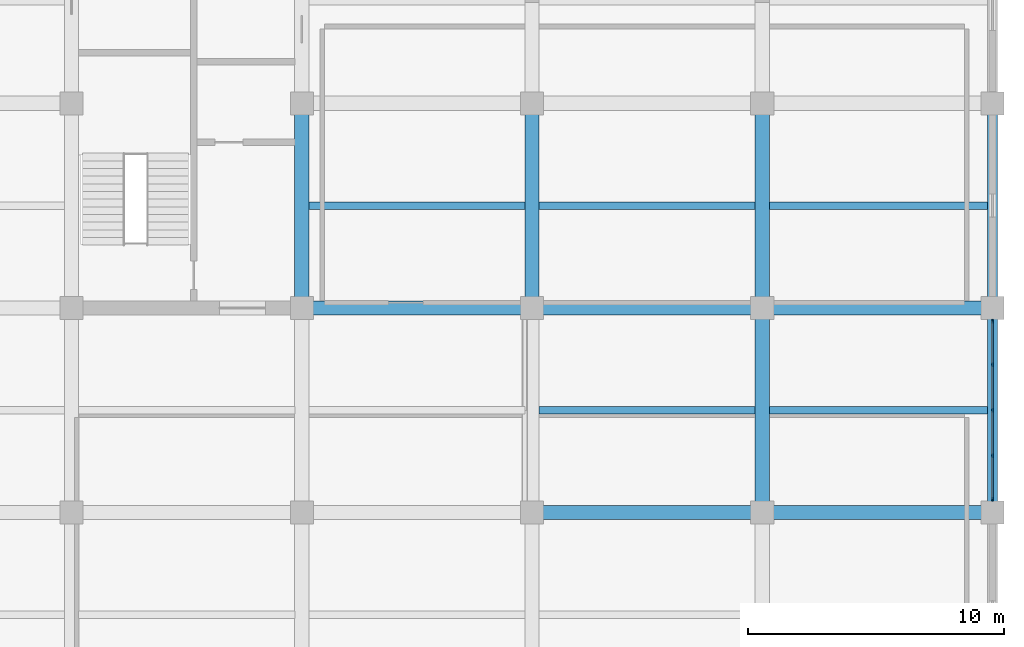
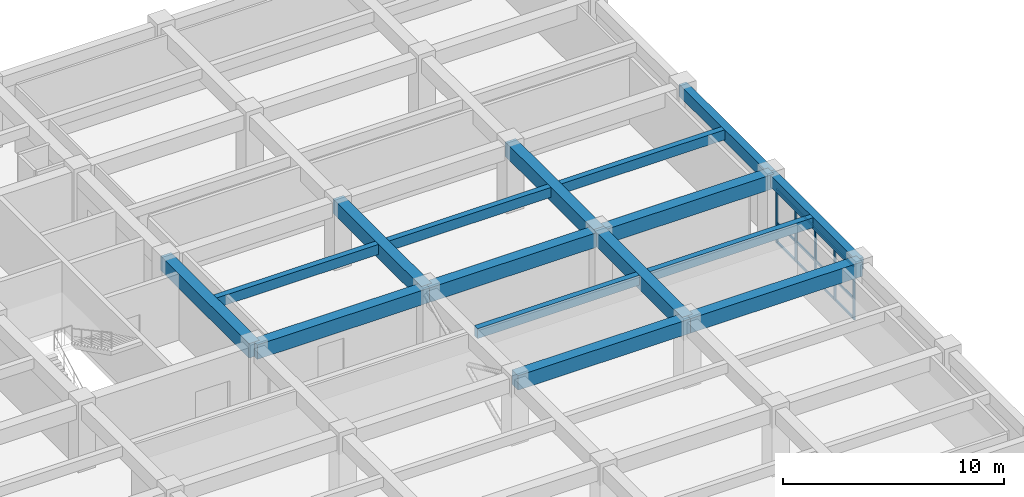
# One storey, part 7 of 16: 16 beams, 8 members, 1 element without a shape of its own.
"""IFC4 building model written with IfcOpenShell, lengths in metres."""

from ifc_helpers import new_model, si_unit, direction, frame, origin, origin_2d, place, context, subcontext, project, spatial, rectangle, extrude, material, material_profile, profile_set, type_object, element, aggregate, save


model = new_model("IFC4")

# Units and contexts
model_context = context("Model", 3, precision=1e-05, world=origin(), true_north=direction((0.0, 1.0)))
body_context = subcontext(model_context, "Body", "Model", "MODEL_VIEW")
ifc_project = project(units=[si_unit("LENGTHUNIT", "METRE"), si_unit("AREAUNIT", "SQUARE_METRE"), si_unit("VOLUMEUNIT", "CUBIC_METRE"), si_unit("PLANEANGLEUNIT", "RADIAN"), si_unit("MASSUNIT", "GRAM", prefix="KILO")], contexts=[model_context])

# Site, building, storey
site_placement = place(None, origin())
site = spatial("IfcSite", under=ifc_project, at=site_placement, CompositionType="ELEMENT")
building_placement = place(site_placement, origin())
building = spatial("IfcBuilding", under=site, at=building_placement, Name="Zaverband Oceanarium and Marine Research Institute", CompositionType="ELEMENT")
storey_placement = place(building_placement, frame((0.0, 0.0, 25.800048828125)))
storey = spatial("IfcBuildingStorey", under=building, at=storey_placement, Name="L06", CompositionType="ELEMENT", Elevation=25.800048828125)

# Beams
ifc_material_1 = material(Name="Concrete C40/50", Category="concrete")
ifc_material_profile_1 = material_profile(ifc_material_1, rectangle(XDim=0.550048828125, YDim=0.800048828125, at=origin_2d()), Name="RC550x800")
ifc_profile_set_1 = profile_set([ifc_material_profile_1], Name="Concrete C40/50")
beam_type_1 = type_object("IfcBeamType", Name="BM-550x800", PredefinedType="BEAM", material=ifc_profile_set_1)
for number, where, z_axis, x_axis, name in (
    (1, (54.0, 80.0, 3.25), (1.0, 0.0, 0.0), (0.0, 1.0, 0.0), "Primary floor girder BM-550x800"),
    (2, (63.0, 80.0, 3.25), (1.0, 0.0, 0.0), (0.0, 1.0, 0.0), "Primary floor girder BM-550x800"),
    (3, (45.0, 88.0, 3.25), (1.0, 0.0, 0.0), (0.0, 1.0, 0.0), "Primary floor girder BM-550x800"),
    (4, (54.0, 88.0, 3.25), (1.0, 0.0, 0.0), (0.0, 1.0, 0.0), "Primary floor girder BM-550x800"),
    (5, (63.0, 88.0, 3.25), (1.0, 0.0, 0.0), (0.0, 1.0, 0.0), "Primary floor girder BM-550x800"),
):
    element("IfcBeam", number, at=place(storey_placement, frame(where, z_axis=z_axis, x_axis=x_axis)), inside=storey, type_object=beam_type_1, Name=name, PredefinedType="BEAM", context=body_context, shape_type="SweptSolid", body=[
        extrude(rectangle(XDim=0.550048828125, YDim=0.800048828125, at=origin_2d()), origin(), (0.0, 0.0, 1.0), 9.0),
    ])
for number, where, z_axis, x_axis, name in (
    (6, (45.0, 88.0, 3.25), (0.0, 1.0, 0.0), (-1.0, 0.0, 0.0), "Primary floor girder BM-550x800"),
    (7, (54.0, 88.0, 3.25), (0.0, 1.0, 0.0), (-1.0, 0.0, 0.0), "Primary floor girder BM-550x800"),
    (8, (63.0, 80.0, 3.25), (0.0, 1.0, 0.0), (-1.0, 0.0, 0.0), "Primary floor girder BM-550x800"),
    (9, (63.0, 88.0, 3.25), (0.0, 1.0, 0.0), (-1.0, 0.0, 0.0), "Primary floor girder BM-550x800"),
):
    element("IfcBeam", number, at=place(storey_placement, frame(where, z_axis=z_axis, x_axis=x_axis)), inside=storey, type_object=beam_type_1, Name=name, PredefinedType="BEAM", context=body_context, shape_type="SweptSolid", body=[
        extrude(rectangle(XDim=0.550048828125, YDim=0.800048828125, at=origin_2d()), origin(), (0.0, 0.0, 1.0), 8.0),
    ])
ifc_material_profile_2 = material_profile(ifc_material_1, rectangle(XDim=0.300048828125, YDim=0.550048828125, at=origin_2d()), Name="RC300x550")
ifc_profile_set_2 = profile_set([ifc_material_profile_2], Name="Concrete C40/50")
beam_type_2 = type_object("IfcBeamType", Name="JST-300x550", PredefinedType="JOIST", material=ifc_profile_set_2)
for number, where, z_axis, x_axis, name in (
    (10, (45.27490234375, 92.0, 3.375), (1.0, 0.0, 0.0), (0.0, 1.0, 0.0), "Secondary floor joist JST-300x550"),
    (11, (54.27490234375, 84.0, 3.375), (1.0, 0.0, 0.0), (0.0, 1.0, 0.0), "Secondary floor joist JST-300x550"),
    (12, (54.27490234375, 92.0, 3.375), (1.0, 0.0, 0.0), (0.0, 1.0, 0.0), "Secondary floor joist JST-300x550"),
):
    element("IfcBeam", number, at=place(storey_placement, frame(where, z_axis=z_axis, x_axis=x_axis)), inside=storey, type_object=beam_type_2, Name=name, PredefinedType="JOIST", context=body_context, shape_type="SweptSolid", body=[
        extrude(rectangle(XDim=0.300048828125, YDim=0.550048828125, at=origin_2d()), origin(), (0.0, 0.0, 1.0), 8.4501953125),
    ])
for number, where, z_axis, x_axis, name in (
    (13, (63.27490234375, 84.0, 3.375), (1.0, 0.0, 0.0), (0.0, 1.0, 0.0), "Secondary floor joist JST-300x550"),
    (14, (63.27490234375, 92.0, 3.375), (1.0, 0.0, 0.0), (0.0, 1.0, 0.0), "Secondary floor joist JST-300x550"),
):
    element("IfcBeam", number, at=place(storey_placement, frame(where, z_axis=z_axis, x_axis=x_axis)), inside=storey, type_object=beam_type_2, Name=name, PredefinedType="JOIST", context=body_context, shape_type="SweptSolid", body=[
        extrude(rectangle(XDim=0.300048828125, YDim=0.550048828125, at=origin_2d()), origin(), (0.0, 0.0, 1.0), 8.525146484375),
    ])

# Curtain wall, members
ifc_material_2 = material(Name="Thermally broken anodized aluminium and solar-control glass", Category="aluminium")
curtain_wall_type = type_object("IfcCurtainWallType", Name="CW-UNIT-1800", PredefinedType="NOTDEFINED", material=ifc_material_2)
curtain_wall_placement = place(storey_placement, origin())
curtain_wall = element("IfcCurtainWall", 15, at=curtain_wall_placement, inside=storey, type_object=curtain_wall_type, Name="Unitised glazed curtain wall CW-084", PredefinedType="NOTDEFINED")
ifc_material_3 = material(Name="Thermally broken anodized aluminium", Category="aluminium")
ifc_material_profile_3 = material_profile(ifc_material_3, rectangle(XDim=0.070068359375, YDim=0.14990234375, at=origin_2d()), Name="AL-MUL-70x150")
ifc_profile_set_3 = profile_set([ifc_material_profile_3], Name="Thermally broken anodized aluminium")
member_type_1 = type_object("IfcMemberType", Name="MUL-70x150", PredefinedType="MULLION", material=ifc_profile_set_3)
member_1_placement = place(storey_placement, frame((72.0, 80.514892578125, 0.0), z_axis=(0.0, 0.0, 1.0), x_axis=(1.0, 0.0, 0.0)))
member_1 = element("IfcMember", 16, at=member_1_placement, type_object=member_type_1, Name="Curtain wall vertical mullion MUL-70x150", PredefinedType="MULLION", context=body_context, shape_type="SweptSolid", body=[
    extrude(rectangle(XDim=0.070068359375, YDim=0.14990234375, at=origin_2d()), origin(), (0.0, 0.0, 1.0), 2.97998046875),
])
member_2_placement = place(storey_placement, frame((72.0, 82.2275390625, 0.0), z_axis=(0.0, 0.0, 1.0), x_axis=(1.0, 0.0, 0.0)))
member_2 = element("IfcMember", 17, at=member_2_placement, type_object=member_type_1, Name="Curtain wall vertical mullion MUL-70x150", PredefinedType="MULLION", context=body_context, shape_type="SweptSolid", body=[
    extrude(rectangle(XDim=0.070068359375, YDim=0.14990234375, at=origin_2d()), origin(), (0.0, 0.0, 1.0), 2.97998046875),
])
member_3_placement = place(storey_placement, frame((72.0, 84.0, 0.0), z_axis=(0.0, 0.0, 1.0), x_axis=(1.0, 0.0, 0.0)))
member_3 = element("IfcMember", 18, at=member_3_placement, type_object=member_type_1, Name="Curtain wall vertical mullion MUL-70x150", PredefinedType="MULLION", context=body_context, shape_type="SweptSolid", body=[
    extrude(rectangle(XDim=0.070068359375, YDim=0.14990234375, at=origin_2d()), origin(), (0.0, 0.0, 1.0), 2.97998046875),
])
member_4_placement = place(storey_placement, frame((72.0, 85.7724609375, 0.0), z_axis=(0.0, 0.0, 1.0), x_axis=(1.0, 0.0, 0.0)))
member_4 = element("IfcMember", 19, at=member_4_placement, type_object=member_type_1, Name="Curtain wall vertical mullion MUL-70x150", PredefinedType="MULLION", context=body_context, shape_type="SweptSolid", body=[
    extrude(rectangle(XDim=0.070068359375, YDim=0.14990234375, at=origin_2d()), origin(), (0.0, 0.0, 1.0), 2.97998046875),
])
member_5_placement = place(storey_placement, frame((72.0, 87.485107421875, 0.0), z_axis=(0.0, 0.0, 1.0), x_axis=(1.0, 0.0, 0.0)))
member_5 = element("IfcMember", 20, at=member_5_placement, type_object=member_type_1, Name="Curtain wall vertical mullion MUL-70x150", PredefinedType="MULLION", context=body_context, shape_type="SweptSolid", body=[
    extrude(rectangle(XDim=0.070068359375, YDim=0.14990234375, at=origin_2d()), origin(), (0.0, 0.0, 1.0), 2.97998046875),
])

# Beams
ifc_material_profile_4 = material_profile(ifc_material_1, rectangle(XDim=0.39990234375, YDim=0.64990234375, at=origin_2d()), Name="RC400x650")
ifc_profile_set_4 = profile_set([ifc_material_profile_4], Name="Concrete C40/50")
beam_type_3 = type_object("IfcBeamType", Name="SPN-400x650", PredefinedType="SPANDREL", material=ifc_profile_set_4)
for number, where, z_axis, x_axis, name in (
    (21, (72.0, 80.0, 3.324951171875), (0.0, 1.0, 0.0), (-1.0, 0.0, 0.0), "Perimeter spandrel beam SPN-400x650"),
    (22, (72.0, 88.0, 3.324951171875), (0.0, 1.0, 0.0), (-1.0, 0.0, 0.0), "Perimeter spandrel beam SPN-400x650"),
):
    element("IfcBeam", number, at=place(storey_placement, frame(where, z_axis=z_axis, x_axis=x_axis)), inside=storey, type_object=beam_type_3, Name=name, PredefinedType="SPANDREL", context=body_context, shape_type="SweptSolid", body=[
        extrude(rectangle(XDim=0.39990234375, YDim=0.64990234375, at=origin_2d()), origin(), (0.0, 0.0, 1.0), 8.0),
    ])

# Member
ifc_material_profile_5 = material_profile(ifc_material_3, rectangle(XDim=0.070068359375, YDim=0.114990234375, at=origin_2d()), Name="AL-TRN-70x115")
ifc_profile_set_5 = profile_set([ifc_material_profile_5], Name="Thermally broken anodized aluminium")
member_type_2 = type_object("IfcMemberType", Name="TRN-70x115", PredefinedType="USERDEFINED", material=ifc_profile_set_5)
member_6_placement = place(storey_placement, frame((72.0, 80.514892578125, 0.050048828125), z_axis=(0.0, 1.0, 0.0), x_axis=(-1.0, 0.0, 0.0)))
member_6 = element("IfcMember", 23, at=member_6_placement, type_object=member_type_2, Name="Curtain wall horizontal transom TRN-70x115", ObjectType="TRANSOM", PredefinedType="USERDEFINED", context=body_context, shape_type="SweptSolid", body=[
    extrude(rectangle(XDim=0.070068359375, YDim=0.114990234375, at=origin_2d()), origin(), (0.0, 0.0, 1.0), 6.97021484375),
])

member_7_placement = place(storey_placement, frame((72.0, 80.514892578125, 1.123046875), z_axis=(0.0, 1.0, 0.0), x_axis=(-1.0, 0.0, 0.0)))
member_7 = element("IfcMember", 24, at=member_7_placement, type_object=member_type_2, Name="Curtain wall horizontal transom TRN-70x115", ObjectType="TRANSOM", PredefinedType="USERDEFINED", context=body_context, shape_type="SweptSolid", body=[
    extrude(rectangle(XDim=0.070068359375, YDim=0.114990234375, at=origin_2d()), origin(), (0.0, 0.0, 1.0), 6.97021484375),
])

member_8_placement = place(storey_placement, frame((72.0, 80.514892578125, 2.929931640625), z_axis=(0.0, 1.0, 0.0), x_axis=(-1.0, 0.0, 0.0)))
member_8 = element("IfcMember", 25, at=member_8_placement, type_object=member_type_2, Name="Curtain wall horizontal transom TRN-70x115", ObjectType="TRANSOM", PredefinedType="USERDEFINED", context=body_context, shape_type="SweptSolid", body=[
    extrude(rectangle(XDim=0.070068359375, YDim=0.114990234375, at=origin_2d()), origin(), (0.0, 0.0, 1.0), 6.97021484375),
])

aggregate(curtain_wall, [member_1, member_2, member_3, member_4, member_5, member_6, member_7, member_8])

save(model, "model.ifc")
